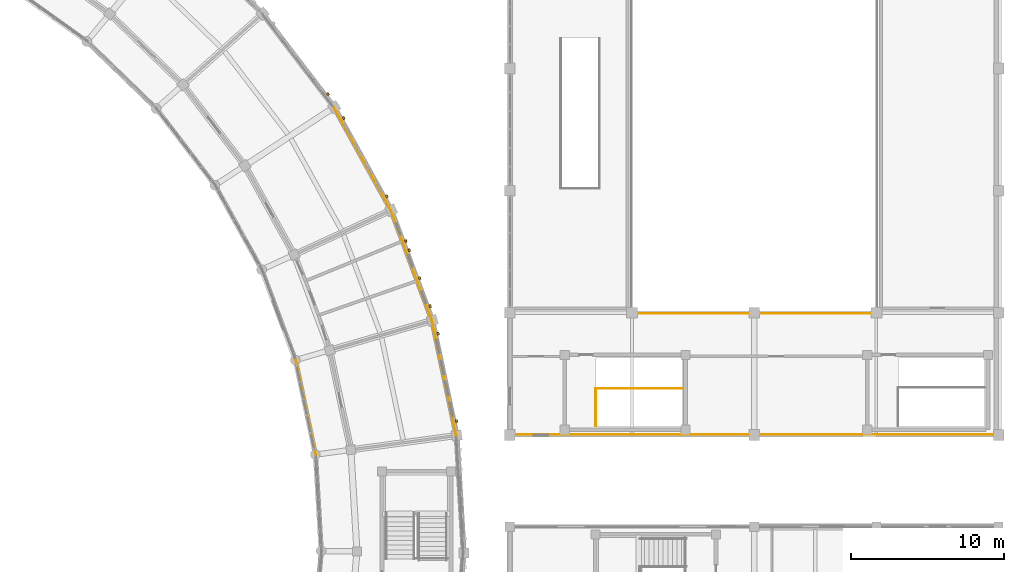
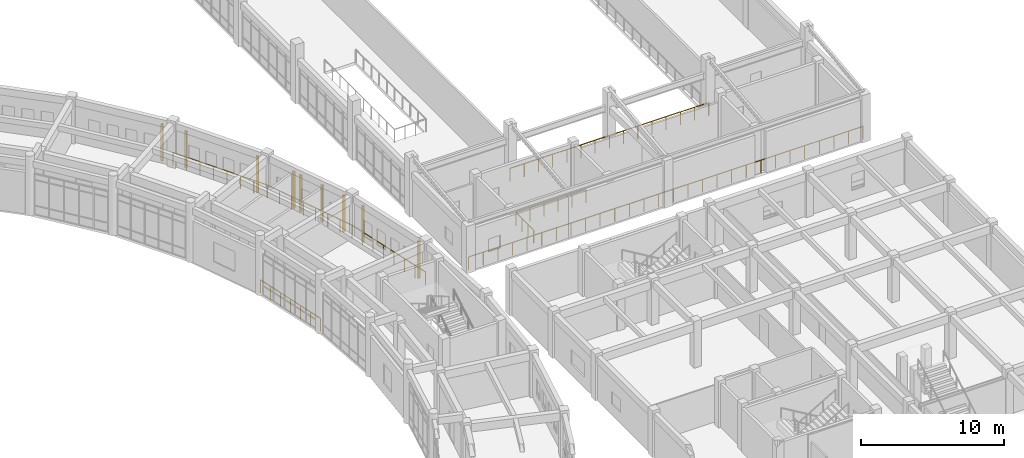
# One storey, part 157 of 159: 9 coverings, 8 railings.
"""IFC4 building model written with IfcOpenShell, lengths in metres."""

from ifc_helpers import new_model, si_unit, direction, frame, origin, origin_2d, place, context, subcontext, project, spatial, rectangle, circle, extrude, material, layer, layer_set, type_object, element, save


model = new_model("IFC4")

# Units and contexts
model_context = context("Model", 3, precision=1e-05, world=origin(), true_north=direction((0.0, 1.0)))
body_context = subcontext(model_context, "Body", "Model", "MODEL_VIEW")
ifc_project = project(units=[si_unit("LENGTHUNIT", "METRE"), si_unit("AREAUNIT", "SQUARE_METRE"), si_unit("VOLUMEUNIT", "CUBIC_METRE"), si_unit("PLANEANGLEUNIT", "RADIAN"), si_unit("MASSUNIT", "GRAM", prefix="KILO")], contexts=[model_context])

# Site, building, storey
site_placement = place(None, origin())
site = spatial("IfcSite", under=ifc_project, at=site_placement, CompositionType="ELEMENT")
building_placement = place(site_placement, origin())
building = spatial("IfcBuilding", under=site, at=building_placement, Name="Celadon Cloister-Ring School", CompositionType="ELEMENT")
storey_placement = place(building_placement, frame((0.0, 0.0, 4.5)))
storey = spatial("IfcBuildingStorey", under=building, at=storey_placement, Name="L01", CompositionType="ELEMENT", Elevation=4.5)

# Coverings
ifc_material_1 = material(Name="Perforated terracotta clay brick masonry", Category="masonry")
ifc_layer = layer(ifc_material_1, 0.139892578125)
ifc_layer_set = layer_set([ifc_layer], Name="Perforated terracotta clay brick masonry")
covering_type = type_object("IfcCoveringType", Name="CV-SC1", PredefinedType="CLADDING", material=ifc_layer_set)
for number, where, z_axis, x_axis, name in (
    (1, (137.300048828125, 72.637939453125, 0.0), (0.0, 0.0, 1.0), (0.207075091974, -0.978325051445, 0.0), "Brick Screen Rib 0199"),
    (2, (138.511962890625, 66.9150390625, 0.0), (0.0, 0.0, 1.0), (0.207075091974, -0.978325051445, 0.0), "Brick Screen Rib 0200"),
    (3, (135.18798828125, 78.700927734375, 0.0), (0.0, 0.0, 1.0), (0.349438906874, -0.936959150851, 0.0), "Brick Screen Rib 0201"),
    (4, (135.4150390625, 78.092041015625, 0.0), (0.0, 0.0, 1.0), (0.349438906874, -0.936959150851, 0.0), "Brick Screen Rib 0202"),
    (5, (136.095947265625, 76.264892578125, 0.0), (0.0, 0.0, 1.0), (0.349438906874, -0.936959150851, 0.0), "Brick Screen Rib 0203"),
    (6, (136.777099609375, 74.43798828125, 0.0), (0.0, 0.0, 1.0), (0.349438906874, -0.936959150851, 0.0), "Brick Screen Rib 0204"),
    (7, (131.1201171875, 86.741943359375, 0.0), (0.0, 0.0, 1.0), (0.483862906985, -0.875143809465, 0.0), "Brick Screen Rib 0205"),
    (8, (133.949951171875, 81.6220703125, 0.0), (0.0, 0.0, 1.0), (0.483862906985, -0.875143809465, 0.0), "Brick Screen Rib 0206"),
    (9, (130.093017578125, 88.31103515625, 0.0), (0.0, 0.0, 1.0), (0.608041153742, -0.793905507826, 0.0), "Brick Screen Rib 0208"),
):
    element("IfcCovering", number, at=place(storey_placement, frame(where, z_axis=z_axis, x_axis=x_axis)), inside=storey, type_object=covering_type, Name=name, PredefinedType="CLADDING", context=body_context, shape_type="SweptSolid", body=[
        extrude(rectangle(XDim=0.179931640625, YDim=0.139892578125, at=origin_2d()), origin(), (0.0, 0.0, 1.0), 3.152099609375),
    ])

# Railings
ifc_material_2 = material(Name="Structural steel S355JR", Category="steel")
railing_type_1 = type_object("IfcRailingType", Name="RL-BL1", PredefinedType="BALUSTRADE", material=ifc_material_2)
railing_1_placement = place(storey_placement, frame((138.490966796875, 65.966064453125, 0.0)))
element("IfcRailing", 10, at=railing_1_placement, inside=storey, type_object=railing_type_1, Name="Terrace Balustrade 0030", PredefinedType="BALUSTRADE", context=body_context, shape_type="SweptSolid", body=[
    extrude(circle(Radius=0.02392578125, at=origin_2d()), frame((0.0, 0.0, 1.09619140625), z_axis=(-0.207095796357, 0.978320668866, 0.0), x_axis=(-0.978320668866, -0.207095796357, 0.0)), (0.0, 0.0, 1.0), 7.69677734375),
    extrude(circle(Radius=0.02099609375, at=origin_2d()), origin(), (0.0, 0.0, 1.0), 1.072021484375),
    extrude(circle(Radius=0.02099609375, at=origin_2d()), frame((-0.227783203125, 1.07568359375, 0.0)), (0.0, 0.0, 1.0), 1.072021484375),
    extrude(circle(Radius=0.02099609375, at=origin_2d()), frame((-0.455322265625, 2.1513671875, 0.0)), (0.0, 0.0, 1.0), 1.072021484375),
    extrude(circle(Radius=0.02099609375, at=origin_2d()), frame((-0.68310546875, 3.22705078125, 0.0)), (0.0, 0.0, 1.0), 1.072021484375),
    extrude(circle(Radius=0.02099609375, at=origin_2d()), frame((-0.910888671875, 4.302978515625, 0.0)), (0.0, 0.0, 1.0), 1.072021484375),
    extrude(circle(Radius=0.02099609375, at=origin_2d()), frame((-1.138671875, 5.378662109375, 0.0)), (0.0, 0.0, 1.0), 1.072021484375),
    extrude(circle(Radius=0.02099609375, at=origin_2d()), frame((-1.3662109375, 6.454345703125, 0.0)), (0.0, 0.0, 1.0), 1.072021484375),
    extrude(circle(Radius=0.02099609375, at=origin_2d()), frame((-1.593994140625, 7.530029296875, 0.0)), (0.0, 0.0, 1.0), 1.072021484375),
])
railing_2_placement = place(storey_placement, frame((136.89697265625, 73.49609375, 0.0)))
element("IfcRailing", 11, at=railing_2_placement, inside=storey, type_object=railing_type_1, Name="Terrace Balustrade 0031", PredefinedType="BALUSTRADE", context=body_context, shape_type="SweptSolid", body=[
    extrude(circle(Radius=0.02392578125, at=origin_2d()), frame((0.0, 0.0, 1.09619140625), z_axis=(-0.349315433681, 0.93700519091, 0.0), x_axis=(-0.93700519091, -0.349315433681, 0.0)), (0.0, 0.0, 1.0), 7.69775390625),
    extrude(circle(Radius=0.02099609375, at=origin_2d()), origin(), (0.0, 0.0, 1.0), 1.072021484375),
    extrude(circle(Radius=0.02099609375, at=origin_2d()), frame((-0.384033203125, 1.030517578125, 0.0)), (0.0, 0.0, 1.0), 1.072021484375),
    extrude(circle(Radius=0.02099609375, at=origin_2d()), frame((-0.768310546875, 2.060791015625, 0.0)), (0.0, 0.0, 1.0), 1.072021484375),
    extrude(circle(Radius=0.02099609375, at=origin_2d()), frame((-1.15234375, 3.09130859375, 0.0)), (0.0, 0.0, 1.0), 1.072021484375),
    extrude(circle(Radius=0.02099609375, at=origin_2d()), frame((-1.53662109375, 4.12158203125, 0.0)), (0.0, 0.0, 1.0), 1.072021484375),
    extrude(circle(Radius=0.02099609375, at=origin_2d()), frame((-1.920654296875, 5.152099609375, 0.0)), (0.0, 0.0, 1.0), 1.072021484375),
    extrude(circle(Radius=0.02099609375, at=origin_2d()), frame((-2.304931640625, 6.182373046875, 0.0)), (0.0, 0.0, 1.0), 1.072021484375),
    extrude(circle(Radius=0.02099609375, at=origin_2d()), frame((-2.68896484375, 7.212890625, 0.0)), (0.0, 0.0, 1.0), 1.072021484375),
])
railing_3_placement = place(storey_placement, frame((134.2080078125, 80.708984375, 0.0)))
element("IfcRailing", 12, at=railing_3_placement, inside=storey, type_object=railing_type_1, Name="Terrace Balustrade 0032", PredefinedType="BALUSTRADE", context=body_context, shape_type="SweptSolid", body=[
    extrude(circle(Radius=0.02392578125, at=origin_2d()), frame((0.0, 0.0, 1.09619140625), z_axis=(-0.484034517871, 0.875048904638, 0.0), x_axis=(-0.875048904638, -0.484034517871, 0.0)), (0.0, 0.0, 1.0), 7.697998046875),
    extrude(circle(Radius=0.02099609375, at=origin_2d()), origin(), (0.0, 0.0, 1.0), 1.072021484375),
    extrude(circle(Radius=0.02099609375, at=origin_2d()), frame((-0.5322265625, 0.96240234375, 0.0)), (0.0, 0.0, 1.0), 1.072021484375),
    extrude(circle(Radius=0.02099609375, at=origin_2d()), frame((-1.064697265625, 1.924560546875, 0.0)), (0.0, 0.0, 1.0), 1.072021484375),
    extrude(circle(Radius=0.02099609375, at=origin_2d()), frame((-1.596923828125, 2.886962890625, 0.0)), (0.0, 0.0, 1.0), 1.072021484375),
    extrude(circle(Radius=0.02099609375, at=origin_2d()), frame((-2.129150390625, 3.84912109375, 0.0)), (0.0, 0.0, 1.0), 1.072021484375),
    extrude(circle(Radius=0.02099609375, at=origin_2d()), frame((-2.661376953125, 4.8115234375, 0.0)), (0.0, 0.0, 1.0), 1.072021484375),
    extrude(circle(Radius=0.02099609375, at=origin_2d()), frame((-3.19384765625, 5.773681640625, 0.0)), (0.0, 0.0, 1.0), 1.072021484375),
    extrude(circle(Radius=0.02099609375, at=origin_2d()), frame((-3.72607421875, 6.736083984375, 0.0)), (0.0, 0.0, 1.0), 1.072021484375),
])
railing_4_placement = place(storey_placement, frame((129.304931640625, 64.722900390625, 0.0)))
element("IfcRailing", 13, at=railing_4_placement, inside=storey, type_object=railing_type_1, Name="Terrace Balustrade 0065", PredefinedType="BALUSTRADE", context=body_context, shape_type="SweptSolid", body=[
    extrude(circle(Radius=0.02392578125, at=origin_2d()), frame((0.0, 0.0, 1.09619140625), z_axis=(-0.207113498668, 0.978316921386, 0.0), x_axis=(-0.978316921386, -0.207113498668, 0.0)), (0.0, 0.0, 1.0), 6.32421875),
    extrude(circle(Radius=0.02099609375, at=origin_2d()), origin(), (0.0, 0.0, 1.0), 1.072021484375),
    extrude(circle(Radius=0.02099609375, at=origin_2d()), frame((-0.21826171875, 1.03125, 0.0)), (0.0, 0.0, 1.0), 1.072021484375),
    extrude(circle(Radius=0.02099609375, at=origin_2d()), frame((-0.4365234375, 2.062255859375, 0.0)), (0.0, 0.0, 1.0), 1.072021484375),
    extrude(circle(Radius=0.02099609375, at=origin_2d()), frame((-0.65478515625, 3.093505859375, 0.0)), (0.0, 0.0, 1.0), 1.072021484375),
    extrude(circle(Radius=0.02099609375, at=origin_2d()), frame((-0.873291015625, 4.124755859375, 0.0)), (0.0, 0.0, 1.0), 1.072021484375),
    extrude(circle(Radius=0.02099609375, at=origin_2d()), frame((-1.091552734375, 5.15576171875, 0.0)), (0.0, 0.0, 1.0), 1.072021484375),
    extrude(circle(Radius=0.02099609375, at=origin_2d()), frame((-1.309814453125, 6.18701171875, 0.0)), (0.0, 0.0, 1.0), 1.072021484375),
])
railing_5_placement = place(storey_placement, frame((166.0400390625, 73.9599609375, 0.0)))
element("IfcRailing", 14, at=railing_5_placement, inside=storey, type_object=railing_type_1, Name="Terrace Balustrade 0412", PredefinedType="BALUSTRADE", context=body_context, shape_type="SweptSolid", body=[
    extrude(circle(Radius=0.02392578125, at=origin_2d()), frame((0.0, 0.0, 1.09619140625), z_axis=(-1.0, 0.0, 0.0), x_axis=(0.0, -1.0, 0.0)), (0.0, 0.0, 1.0), 16.080078125),
    extrude(circle(Radius=0.02099609375, at=origin_2d()), origin(), (0.0, 0.0, 1.0), 1.072021484375),
    extrude(circle(Radius=0.02099609375, at=origin_2d()), frame((-1.148681640625, 0.0, 0.0)), (0.0, 0.0, 1.0), 1.072021484375),
    extrude(circle(Radius=0.02099609375, at=origin_2d()), frame((-2.297119140625, 0.0, 0.0)), (0.0, 0.0, 1.0), 1.072021484375),
    extrude(circle(Radius=0.02099609375, at=origin_2d()), frame((-3.44580078125, 0.0, 0.0)), (0.0, 0.0, 1.0), 1.072021484375),
    extrude(circle(Radius=0.02099609375, at=origin_2d()), frame((-4.59423828125, 0.0, 0.0)), (0.0, 0.0, 1.0), 1.072021484375),
    extrude(circle(Radius=0.02099609375, at=origin_2d()), frame((-5.742919921875, 0.0, 0.0)), (0.0, 0.0, 1.0), 1.072021484375),
    extrude(circle(Radius=0.02099609375, at=origin_2d()), frame((-6.891357421875, 0.0, 0.0)), (0.0, 0.0, 1.0), 1.072021484375),
    extrude(circle(Radius=0.02099609375, at=origin_2d()), frame((-8.0400390625, 0.0, 0.0)), (0.0, 0.0, 1.0), 1.072021484375),
    extrude(circle(Radius=0.02099609375, at=origin_2d()), frame((-9.188720703125, 0.0, 0.0)), (0.0, 0.0, 1.0), 1.072021484375),
    extrude(circle(Radius=0.02099609375, at=origin_2d()), frame((-10.337158203125, 0.0, 0.0)), (0.0, 0.0, 1.0), 1.072021484375),
    extrude(circle(Radius=0.02099609375, at=origin_2d()), frame((-11.48583984375, 0.0, 0.0)), (0.0, 0.0, 1.0), 1.072021484375),
    extrude(circle(Radius=0.02099609375, at=origin_2d()), frame((-12.63427734375, 0.0, 0.0)), (0.0, 0.0, 1.0), 1.072021484375),
    extrude(circle(Radius=0.02099609375, at=origin_2d()), frame((-13.782958984375, 0.0, 0.0)), (0.0, 0.0, 1.0), 1.072021484375),
    extrude(circle(Radius=0.02099609375, at=origin_2d()), frame((-14.931396484375, 0.0, 0.0)), (0.0, 0.0, 1.0), 1.072021484375),
    extrude(circle(Radius=0.02099609375, at=origin_2d()), frame((-16.080078125, 0.0, 0.0)), (0.0, 0.0, 1.0), 1.072021484375),
])
railing_6_placement = place(storey_placement, frame((142.0400390625, 66.0400390625, 0.0)))
element("IfcRailing", 15, at=railing_6_placement, inside=storey, type_object=railing_type_1, Name="Terrace Balustrade 0413", PredefinedType="BALUSTRADE", context=body_context, shape_type="SweptSolid", body=[
    extrude(circle(Radius=0.02392578125, at=origin_2d()), frame((0.0, 0.0, 1.09619140625), z_axis=(1.0, 0.0, 0.0), x_axis=(0.0, 1.0, 0.0)), (0.0, 0.0, 1.0), 31.919921875),
    extrude(circle(Radius=0.02099609375, at=origin_2d()), origin(), (0.0, 0.0, 1.0), 1.072021484375),
    extrude(circle(Radius=0.02099609375, at=origin_2d()), frame((1.18212890625, 0.0, 0.0)), (0.0, 0.0, 1.0), 1.072021484375),
    extrude(circle(Radius=0.02099609375, at=origin_2d()), frame((2.364501953125, 0.0, 0.0)), (0.0, 0.0, 1.0), 1.072021484375),
    extrude(circle(Radius=0.02099609375, at=origin_2d()), frame((3.546630859375, 0.0, 0.0)), (0.0, 0.0, 1.0), 1.072021484375),
    extrude(circle(Radius=0.02099609375, at=origin_2d()), frame((4.728759765625, 0.0, 0.0)), (0.0, 0.0, 1.0), 1.072021484375),
    extrude(circle(Radius=0.02099609375, at=origin_2d()), frame((5.9111328125, 0.0, 0.0)), (0.0, 0.0, 1.0), 1.072021484375),
    extrude(circle(Radius=0.02099609375, at=origin_2d()), frame((7.09326171875, 0.0, 0.0)), (0.0, 0.0, 1.0), 1.072021484375),
    extrude(circle(Radius=0.02099609375, at=origin_2d()), frame((8.275634765625, 0.0, 0.0)), (0.0, 0.0, 1.0), 1.072021484375),
    extrude(circle(Radius=0.02099609375, at=origin_2d()), frame((9.457763671875, 0.0, 0.0)), (0.0, 0.0, 1.0), 1.072021484375),
    extrude(circle(Radius=0.02099609375, at=origin_2d()), frame((10.639892578125, 0.0, 0.0)), (0.0, 0.0, 1.0), 1.072021484375),
    extrude(circle(Radius=0.02099609375, at=origin_2d()), frame((11.822265625, 0.0, 0.0)), (0.0, 0.0, 1.0), 1.072021484375),
    extrude(circle(Radius=0.02099609375, at=origin_2d()), frame((13.00439453125, 0.0, 0.0)), (0.0, 0.0, 1.0), 1.072021484375),
    extrude(circle(Radius=0.02099609375, at=origin_2d()), frame((14.1865234375, 0.0, 0.0)), (0.0, 0.0, 1.0), 1.072021484375),
    extrude(circle(Radius=0.02099609375, at=origin_2d()), frame((15.368896484375, 0.0, 0.0)), (0.0, 0.0, 1.0), 1.072021484375),
    extrude(circle(Radius=0.02099609375, at=origin_2d()), frame((16.551025390625, 0.0, 0.0)), (0.0, 0.0, 1.0), 1.072021484375),
    extrude(circle(Radius=0.02099609375, at=origin_2d()), frame((17.7333984375, 0.0, 0.0)), (0.0, 0.0, 1.0), 1.072021484375),
    extrude(circle(Radius=0.02099609375, at=origin_2d()), frame((18.91552734375, 0.0, 0.0)), (0.0, 0.0, 1.0), 1.072021484375),
    extrude(circle(Radius=0.02099609375, at=origin_2d()), frame((20.09765625, 0.0, 0.0)), (0.0, 0.0, 1.0), 1.072021484375),
    extrude(circle(Radius=0.02099609375, at=origin_2d()), frame((21.280029296875, 0.0, 0.0)), (0.0, 0.0, 1.0), 1.072021484375),
    extrude(circle(Radius=0.02099609375, at=origin_2d()), frame((22.462158203125, 0.0, 0.0)), (0.0, 0.0, 1.0), 1.072021484375),
    extrude(circle(Radius=0.02099609375, at=origin_2d()), frame((23.644287109375, 0.0, 0.0)), (0.0, 0.0, 1.0), 1.072021484375),
    extrude(circle(Radius=0.02099609375, at=origin_2d()), frame((24.82666015625, 0.0, 0.0)), (0.0, 0.0, 1.0), 1.072021484375),
    extrude(circle(Radius=0.02099609375, at=origin_2d()), frame((26.0087890625, 0.0, 0.0)), (0.0, 0.0, 1.0), 1.072021484375),
    extrude(circle(Radius=0.02099609375, at=origin_2d()), frame((27.191162109375, 0.0, 0.0)), (0.0, 0.0, 1.0), 1.072021484375),
    extrude(circle(Radius=0.02099609375, at=origin_2d()), frame((28.373291015625, 0.0, 0.0)), (0.0, 0.0, 1.0), 1.072021484375),
    extrude(circle(Radius=0.02099609375, at=origin_2d()), frame((29.555419921875, 0.0, 0.0)), (0.0, 0.0, 1.0), 1.072021484375),
    extrude(circle(Radius=0.02099609375, at=origin_2d()), frame((30.73779296875, 0.0, 0.0)), (0.0, 0.0, 1.0), 1.072021484375),
    extrude(circle(Radius=0.02099609375, at=origin_2d()), frame((31.919921875, 0.0, 0.0)), (0.0, 0.0, 1.0), 1.072021484375),
])
ifc_material_3 = material(Name="Structural steel S355JR", Category="steel")
railing_type_2 = type_object("IfcRailingType", Name="RL-BL2", PredefinedType="BALUSTRADE", material=ifc_material_3)
railing_7_placement = place(storey_placement, frame((147.6201171875, 66.590087890625, 0.0)))
element("IfcRailing", 16, at=railing_7_placement, inside=storey, type_object=railing_type_2, Name="Interior Guard 0160", PredefinedType="BALUSTRADE", context=body_context, shape_type="SweptSolid", body=[
    extrude(circle(Radius=0.02392578125, at=origin_2d()), frame((0.0, 0.0, 1.09619140625), z_axis=(0.0, 1.0, 0.0), x_axis=(-1.0, 0.0, 0.0)), (0.0, 0.0, 1.0), 2.4599609375),
    extrude(circle(Radius=0.02099609375, at=origin_2d()), origin(), (0.0, 0.0, 1.0), 1.072021484375),
    extrude(circle(Radius=0.02099609375, at=origin_2d()), frame((0.0, 0.820068359375, 0.0)), (0.0, 0.0, 1.0), 1.072021484375),
    extrude(circle(Radius=0.02099609375, at=origin_2d()), frame((0.0, 1.639892578125, 0.0)), (0.0, 0.0, 1.0), 1.072021484375),
    extrude(circle(Radius=0.02099609375, at=origin_2d()), frame((0.0, 2.4599609375, 0.0)), (0.0, 0.0, 1.0), 1.072021484375),
])
railing_8_placement = place(storey_placement, frame((147.6201171875, 69.050048828125, 0.0)))
element("IfcRailing", 17, at=railing_8_placement, inside=storey, type_object=railing_type_2, Name="Interior Guard 0161", PredefinedType="BALUSTRADE", context=body_context, shape_type="SweptSolid", body=[
    extrude(circle(Radius=0.02392578125, at=origin_2d()), frame((0.0, 0.0, 1.09619140625), z_axis=(1.0, 0.0, 0.0), x_axis=(0.0, 1.0, 0.0)), (0.0, 0.0, 1.0), 5.639892578125),
    extrude(circle(Radius=0.02099609375, at=origin_2d()), origin(), (0.0, 0.0, 1.0), 1.072021484375),
    extrude(circle(Radius=0.02099609375, at=origin_2d()), frame((1.1279296875, 0.0, 0.0)), (0.0, 0.0, 1.0), 1.072021484375),
    extrude(circle(Radius=0.02099609375, at=origin_2d()), frame((2.255859375, 0.0, 0.0)), (0.0, 0.0, 1.0), 1.072021484375),
    extrude(circle(Radius=0.02099609375, at=origin_2d()), frame((3.384033203125, 0.0, 0.0)), (0.0, 0.0, 1.0), 1.072021484375),
    extrude(circle(Radius=0.02099609375, at=origin_2d()), frame((4.511962890625, 0.0, 0.0)), (0.0, 0.0, 1.0), 1.072021484375),
    extrude(circle(Radius=0.02099609375, at=origin_2d()), frame((5.639892578125, 0.0, 0.0)), (0.0, 0.0, 1.0), 1.072021484375),
])

save(model, "model.ifc")
